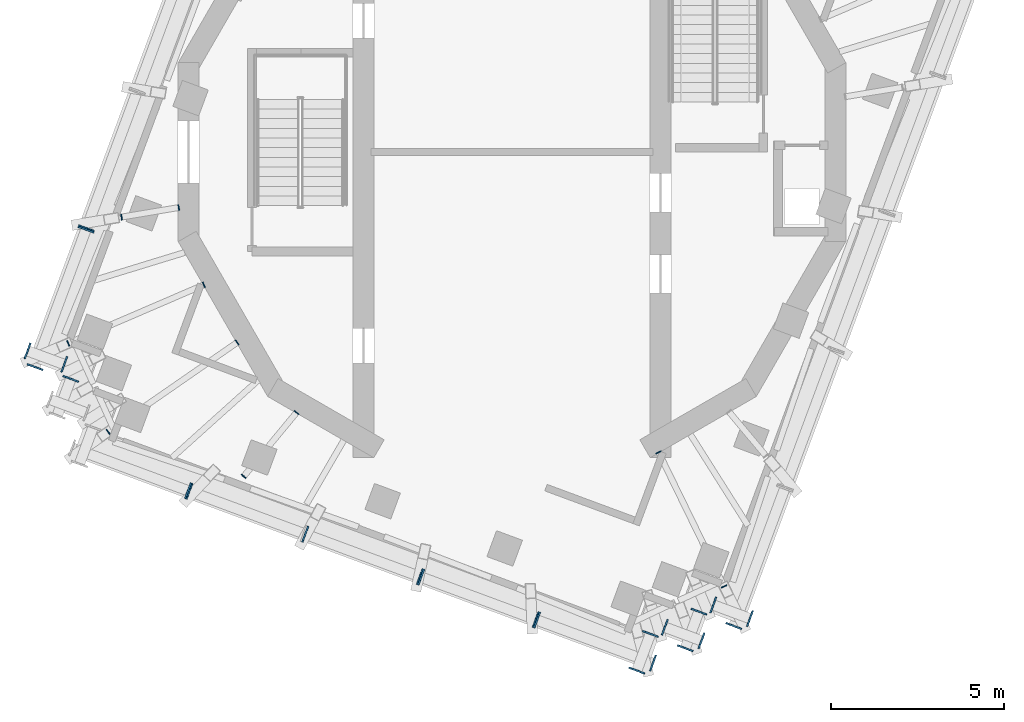
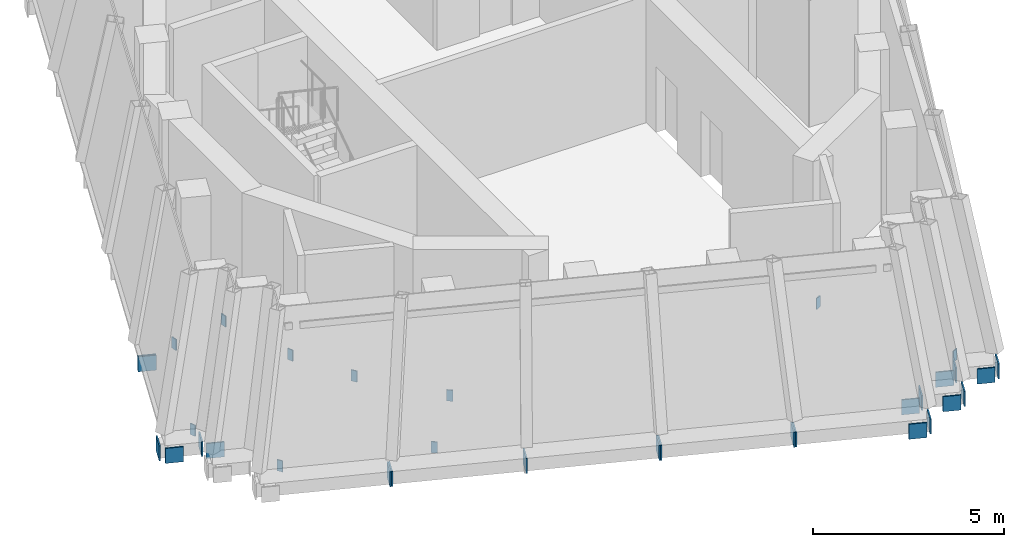
# One storey, part 7 of 11: 33 discrete accessories, 14 elements without a shape of their own.
"""IFC4 building model written with IfcOpenShell, lengths in metres."""

from ifc_helpers import new_model, si_unit, direction, frame, origin, place, context, subcontext, project, spatial, polyline, outline, extrude, material, layer, layer_set, type_object, element, aggregate, save


model = new_model("IFC4")

# Units and contexts
model_context = context("Model", 3, precision=1e-05, world=origin(), true_north=direction((0.0, 1.0)))
body_context = subcontext(model_context, "Body", "Model", "MODEL_VIEW")
ifc_project = project(units=[si_unit("LENGTHUNIT", "METRE"), si_unit("AREAUNIT", "SQUARE_METRE"), si_unit("VOLUMEUNIT", "CUBIC_METRE"), si_unit("PLANEANGLEUNIT", "RADIAN"), si_unit("MASSUNIT", "GRAM", prefix="KILO")], contexts=[model_context])

# Site, building, storey
site_placement = place(None, origin())
site = spatial("IfcSite", under=ifc_project, at=site_placement, CompositionType="ELEMENT")
building_placement = place(site_placement, origin())
building = spatial("IfcBuilding", under=site, at=building_placement, Name="Cantera Rosa Tower", CompositionType="ELEMENT")
storey_placement = place(building_placement, frame((0.0, 0.0, 369.699951171875)))
storey = spatial("IfcBuildingStorey", under=building, at=storey_placement, Name="L83", CompositionType="ELEMENT", Elevation=369.699951171875)

# Curtain wall, discrete accessory
ifc_material_1 = material(Name="Aluminium frame with clear glass", Category="aluminium")
curtain_wall_type = type_object("IfcCurtainWallType", Name="CW4 CROWN GLAZING", PredefinedType="NOTDEFINED", material=ifc_material_1)
curtain_wall_1_placement = place(storey_placement, origin())
curtain_wall_1 = element("IfcCurtainWall", 1, at=curtain_wall_1_placement, inside=storey, type_object=curtain_wall_type, Name="CW4 L83-13", PredefinedType="NOTDEFINED")
ifc_material_2 = material(Name="Steel S355J2 (EN 10025-2)", Category="steel")
ifc_layer = layer(ifc_material_2, 0.030029296875)
ifc_layer_set = layer_set([ifc_layer], Name="NODE PLATE 30")
discrete_accessory_type = type_object("IfcDiscreteAccessoryType", Name="NODE PLATE 30", PredefinedType="ANCHORPLATE", material=ifc_layer_set)
discrete_accessory_1_placement = place(storey_placement, frame((-12.111572265625, -2.3427734375, -0.43505859375), z_axis=(-0.347496626235, -0.937681233018, 0.0), x_axis=(-0.937681233018, 0.347496626235, 0.0)))
discrete_accessory_1 = element("IfcDiscreteAccessory", 2, at=discrete_accessory_1_placement, type_object=discrete_accessory_type, Name="END PLATE TE1", PredefinedType="ANCHORPLATE", context=body_context, shape_type="SweptSolid", body=[
    extrude(outline(polyline([(0.0, 0.0), (0.4798551533622547, 0.0), (0.4798551533622547, 0.47998046875), (0.0, 0.47998046875), (0.0, 0.0)])), origin(), (0.0, 0.0, -1.0), 0.0400390625),
])
aggregate(curtain_wall_1, [discrete_accessory_1])

# Curtain wall, discrete accessories
curtain_wall_2_placement = place(storey_placement, origin())
curtain_wall_2 = element("IfcCurtainWall", 3, at=curtain_wall_2_placement, inside=storey, type_object=curtain_wall_type, Name="CW4 L83-14", PredefinedType="NOTDEFINED")
discrete_accessory_2_placement = place(storey_placement, frame((-12.53369140625, -2.10107421875, -0.43505859375), z_axis=(0.347496626235, 0.937681233018, 0.0), x_axis=(0.937681233018, -0.347496626235, 0.0)))
discrete_accessory_2 = element("IfcDiscreteAccessory", 4, at=discrete_accessory_2_placement, type_object=discrete_accessory_type, Name="END PLATE TE0", PredefinedType="ANCHORPLATE", context=body_context, shape_type="SweptSolid", body=[
    extrude(outline(polyline([(0.0, 0.0), (0.4798551533622547, 0.0), (0.4798551533622547, 0.47998046875), (0.0, 0.47998046875), (0.0, 0.0)])), origin(), (0.0, 0.0, -1.0), 0.0400390625),
])
discrete_accessory_3_placement = place(storey_placement, frame((-13.5859375, -6.322021484375, -0.43505859375), z_axis=(-0.347330918501, -0.937742626232, 0.0), x_axis=(-0.937742626232, 0.347330918501, 0.0)))
discrete_accessory_3 = element("IfcDiscreteAccessory", 5, at=discrete_accessory_3_placement, type_object=discrete_accessory_type, Name="END PLATE TE1", PredefinedType="ANCHORPLATE", context=body_context, shape_type="SweptSolid", body=[
    extrude(outline(polyline([(0.0, 0.0), (0.4800840869406107, 0.0), (0.4800840869406107, 0.47998046875), (0.0, 0.47998046875), (0.0, 0.0)])), origin(), (0.0, 0.0, -1.0), 0.0400390625),
])
aggregate(curtain_wall_2, [discrete_accessory_2, discrete_accessory_3])

curtain_wall_3_placement = place(storey_placement, origin())
curtain_wall_3 = element("IfcCurtainWall", 6, at=curtain_wall_3_placement, inside=storey, type_object=curtain_wall_type, Name="CW4 L83-15", PredefinedType="NOTDEFINED")
discrete_accessory_4_placement = place(storey_placement, frame((-14.121826171875, -5.969482421875, -0.43505859375), z_axis=(-0.937742626232, 0.347330918501, 0.0), x_axis=(0.347330918501, 0.937742626232, 0.0)))
discrete_accessory_4 = element("IfcDiscreteAccessory", 7, at=discrete_accessory_4_placement, type_object=discrete_accessory_type, Name="END PLATE TE0", PredefinedType="ANCHORPLATE", context=body_context, shape_type="SweptSolid", body=[
    extrude(outline(polyline([(0.0, 0.0), (0.4800840869406107, 0.0), (0.4800840869406107, 0.47998046875), (0.0, 0.47998046875), (0.0, 0.0)])), origin(), (0.0, 0.0, -1.0), 0.0400390625),
])
discrete_accessory_5_placement = place(storey_placement, frame((-12.85693359375, -5.92626953125, -0.43505859375), z_axis=(0.93751537431, -0.347943850259, 0.0), x_axis=(-0.347943850259, -0.93751537431, 0.0)))
discrete_accessory_5 = element("IfcDiscreteAccessory", 8, at=discrete_accessory_5_placement, type_object=discrete_accessory_type, Name="END PLATE TE1", PredefinedType="ANCHORPLATE", context=body_context, shape_type="SweptSolid", body=[
    extrude(outline(polyline([(0.0, 0.0), (0.47994004600337425, 0.0), (0.47994004600337425, 0.47998046875), (0.0, 0.47998046875), (0.0, 0.0)])), origin(), (0.0, 0.0, -1.0), 0.0400390625),
])
aggregate(curtain_wall_3, [discrete_accessory_4, discrete_accessory_5])

# Curtain wall, discrete accessory
curtain_wall_4_placement = place(storey_placement, origin())
curtain_wall_4 = element("IfcCurtainWall", 9, at=curtain_wall_4_placement, inside=storey, type_object=curtain_wall_type, Name="CW4 L83-16", PredefinedType="NOTDEFINED")
discrete_accessory_6_placement = place(storey_placement, frame((-12.98583984375, -6.460205078125, -0.43505859375), z_axis=(0.347330918501, 0.937742626232, 0.0), x_axis=(0.937742626232, -0.347330918501, 0.0)))
discrete_accessory_6 = element("IfcDiscreteAccessory", 10, at=discrete_accessory_6_placement, type_object=discrete_accessory_type, Name="END PLATE TE0", PredefinedType="ANCHORPLATE", context=body_context, shape_type="SweptSolid", body=[
    extrude(outline(polyline([(0.0, 0.0), (0.4800840869406107, 0.0), (0.4800840869406107, 0.47998046875), (0.0, 0.47998046875), (0.0, 0.0)])), origin(), (0.0, 0.0, -1.0), 0.0400390625),
])
aggregate(curtain_wall_4, [discrete_accessory_6])

curtain_wall_5_placement = place(storey_placement, origin())
curtain_wall_5 = element("IfcCurtainWall", 11, at=curtain_wall_5_placement, inside=storey, type_object=curtain_wall_type, Name="CW4 L83-19", PredefinedType="NOTDEFINED")
discrete_accessory_7_placement = place(storey_placement, frame((-9.23583984375, -9.5947265625, -0.43505859375), z_axis=(0.937742626232, -0.347330918501, 0.0), x_axis=(-0.347330918501, -0.937742626232, 0.0)))
discrete_accessory_7 = element("IfcDiscreteAccessory", 12, at=discrete_accessory_7_placement, type_object=discrete_accessory_type, Name="END PLATE TE1", PredefinedType="ANCHORPLATE", context=body_context, shape_type="SweptSolid", body=[
    extrude(outline(polyline([(0.0, 0.0), (0.4800840869406107, 0.0), (0.4800840869406107, 0.47998046875), (0.0, 0.47998046875), (0.0, 0.0)])), origin(), (0.0, 0.0, -1.0), 0.0400390625),
])
aggregate(curtain_wall_5, [discrete_accessory_7])

# Curtain wall, discrete accessories
curtain_wall_6_placement = place(storey_placement, origin())
curtain_wall_6 = element("IfcCurtainWall", 13, at=curtain_wall_6_placement, inside=storey, type_object=curtain_wall_type, Name="CW4 L83-20", PredefinedType="NOTDEFINED")
discrete_accessory_8_placement = place(storey_placement, frame((-9.477783203125, -10.01708984375, -0.43505859375), z_axis=(-0.937742626232, 0.347330918501, 0.0), x_axis=(0.347330918501, 0.937742626232, 0.0)))
discrete_accessory_8 = element("IfcDiscreteAccessory", 14, at=discrete_accessory_8_placement, type_object=discrete_accessory_type, Name="END PLATE TE0", PredefinedType="ANCHORPLATE", context=body_context, shape_type="SweptSolid", body=[
    extrude(outline(polyline([(0.0, 0.0), (0.4800840869406107, 0.0), (0.4800840869406107, 0.47998046875), (0.0, 0.47998046875), (0.0, 0.0)])), origin(), (0.0, 0.0, -1.0), 0.0400390625),
])
discrete_accessory_9_placement = place(storey_placement, frame((-5.88134765625, -10.837890625, -0.43505859375), z_axis=(0.937742626232, -0.347330918501, 0.0), x_axis=(-0.347330918501, -0.937742626232, 0.0)))
discrete_accessory_9 = element("IfcDiscreteAccessory", 15, at=discrete_accessory_9_placement, type_object=discrete_accessory_type, Name="END PLATE TE1", PredefinedType="ANCHORPLATE", context=body_context, shape_type="SweptSolid", body=[
    extrude(outline(polyline([(0.0, 0.0), (0.4800840869406107, 0.0), (0.4800840869406107, 0.47998046875), (0.0, 0.47998046875), (0.0, 0.0)])), origin(), (0.0, 0.0, -1.0), 0.0400390625),
])
aggregate(curtain_wall_6, [discrete_accessory_8, discrete_accessory_9])

# Curtain wall, discrete accessory
curtain_wall_7_placement = place(storey_placement, origin())
curtain_wall_7 = element("IfcCurtainWall", 16, at=curtain_wall_7_placement, inside=storey, type_object=curtain_wall_type, Name="CW4 L83-21", PredefinedType="NOTDEFINED")
discrete_accessory_10_placement = place(storey_placement, frame((-2.526611328125, -12.0810546875, -0.43505859375), z_axis=(0.937742626232, -0.347330918501, 0.0), x_axis=(-0.347330918501, -0.937742626232, 0.0)))
discrete_accessory_10 = element("IfcDiscreteAccessory", 17, at=discrete_accessory_10_placement, type_object=discrete_accessory_type, Name="END PLATE TE1", PredefinedType="ANCHORPLATE", context=body_context, shape_type="SweptSolid", body=[
    extrude(outline(polyline([(0.0, 0.0), (0.4800840869406107, 0.0), (0.4800840869406107, 0.47998046875), (0.0, 0.47998046875), (0.0, 0.0)])), origin(), (0.0, 0.0, -1.0), 0.0400390625),
])
aggregate(curtain_wall_7, [discrete_accessory_10])

# Curtain wall, discrete accessories
curtain_wall_8_placement = place(storey_placement, origin())
curtain_wall_8 = element("IfcCurtainWall", 18, at=curtain_wall_8_placement, inside=storey, type_object=curtain_wall_type, Name="CW4 L83-22", PredefinedType="NOTDEFINED")
discrete_accessory_11_placement = place(storey_placement, frame((-2.768310546875, -12.50341796875, -0.43505859375), z_axis=(-0.937742626232, 0.347330918501, 0.0), x_axis=(0.347330918501, 0.937742626232, 0.0)))
discrete_accessory_11 = element("IfcDiscreteAccessory", 19, at=discrete_accessory_11_placement, type_object=discrete_accessory_type, Name="END PLATE TE0", PredefinedType="ANCHORPLATE", context=body_context, shape_type="SweptSolid", body=[
    extrude(outline(polyline([(0.0, 0.0), (0.4800840869406107, 0.0), (0.4800840869406107, 0.47998046875), (0.0, 0.47998046875), (0.0, 0.0)])), origin(), (0.0, 0.0, -1.0), 0.0400390625),
])
discrete_accessory_12_placement = place(storey_placement, frame((0.828125, -13.32421875, -0.43505859375), z_axis=(0.937681233018, -0.347496626235, 0.0), x_axis=(-0.347496626235, -0.937681233018, 0.0)))
discrete_accessory_12 = element("IfcDiscreteAccessory", 20, at=discrete_accessory_12_placement, type_object=discrete_accessory_type, Name="END PLATE TE1", PredefinedType="ANCHORPLATE", context=body_context, shape_type="SweptSolid", body=[
    extrude(outline(polyline([(0.0, 0.0), (0.4798551533622547, 0.0), (0.4798551533622547, 0.47998046875), (0.0, 0.47998046875), (0.0, 0.0)])), origin(), (0.0, 0.0, -1.0), 0.0400390625),
])
aggregate(curtain_wall_8, [discrete_accessory_11, discrete_accessory_12])

curtain_wall_9_placement = place(storey_placement, origin())
curtain_wall_9 = element("IfcCurtainWall", 21, at=curtain_wall_9_placement, inside=storey, type_object=curtain_wall_type, Name="CW4 L83-23", PredefinedType="NOTDEFINED")
discrete_accessory_13_placement = place(storey_placement, frame((0.586181640625, -13.74658203125, -0.43505859375), z_axis=(-0.937576914778, 0.347777987911, 0.0), x_axis=(0.347777987911, 0.937576914778, 0.0)))
discrete_accessory_13 = element("IfcDiscreteAccessory", 22, at=discrete_accessory_13_placement, type_object=discrete_accessory_type, Name="END PLATE TE0", PredefinedType="ANCHORPLATE", context=body_context, shape_type="SweptSolid", body=[
    extrude(outline(polyline([(0.0, 0.0), (0.4801689391068604, 0.0), (0.4801689391068604, 0.47998046875), (0.0, 0.47998046875), (0.0, 0.0)])), origin(), (0.0, 0.0, -1.0), 0.0400390625),
])
discrete_accessory_14_placement = place(storey_placement, frame((4.182861328125, -14.5673828125, -0.43505859375), z_axis=(0.93751537431, -0.347943850259, 0.0), x_axis=(-0.347943850259, -0.93751537431, 0.0)))
discrete_accessory_14 = element("IfcDiscreteAccessory", 23, at=discrete_accessory_14_placement, type_object=discrete_accessory_type, Name="END PLATE TE1", PredefinedType="ANCHORPLATE", context=body_context, shape_type="SweptSolid", body=[
    extrude(outline(polyline([(0.0, 0.0), (0.47994004600337425, 0.0), (0.47994004600337425, 0.47998046875), (0.0, 0.47998046875), (0.0, 0.0)])), origin(), (0.0, 0.0, -1.0), 0.0400390625),
])
aggregate(curtain_wall_9, [discrete_accessory_13, discrete_accessory_14])

curtain_wall_10_placement = place(storey_placement, origin())
curtain_wall_10 = element("IfcCurtainWall", 24, at=curtain_wall_10_placement, inside=storey, type_object=curtain_wall_type, Name="CW4 L83-24", PredefinedType="NOTDEFINED")
discrete_accessory_15_placement = place(storey_placement, frame((3.83056640625, -15.10546875, -0.43505859375), z_axis=(-0.347330918501, -0.937742626232, 0.0), x_axis=(-0.937742626232, 0.347330918501, 0.0)))
discrete_accessory_15 = element("IfcDiscreteAccessory", 25, at=discrete_accessory_15_placement, type_object=discrete_accessory_type, Name="END PLATE TE0", PredefinedType="ANCHORPLATE", context=body_context, shape_type="SweptSolid", body=[
    extrude(outline(polyline([(0.0, 0.0), (0.4800840869406107, 0.0), (0.4800840869406107, 0.47998046875), (0.0, 0.47998046875), (0.0, 0.0)])), origin(), (0.0, 0.0, -1.0), 0.0400390625),
])
discrete_accessory_16_placement = place(storey_placement, frame((3.787353515625, -13.840576171875, -0.43505859375), z_axis=(0.347330918501, 0.937742626232, 0.0), x_axis=(0.937742626232, -0.347330918501, 0.0)))
discrete_accessory_16 = element("IfcDiscreteAccessory", 26, at=discrete_accessory_16_placement, type_object=discrete_accessory_type, Name="END PLATE TE1", PredefinedType="ANCHORPLATE", context=body_context, shape_type="SweptSolid", body=[
    extrude(outline(polyline([(0.0, 0.0), (0.4800840869406107, 0.0), (0.4800840869406107, 0.47998046875), (0.0, 0.47998046875), (0.0, 0.0)])), origin(), (0.0, 0.0, -1.0), 0.0400390625),
])
aggregate(curtain_wall_10, [discrete_accessory_15, discrete_accessory_16])

curtain_wall_11_placement = place(storey_placement, origin())
curtain_wall_11 = element("IfcCurtainWall", 27, at=curtain_wall_11_placement, inside=storey, type_object=curtain_wall_type, Name="CW4 L83-25", PredefinedType="NOTDEFINED")
discrete_accessory_17_placement = place(storey_placement, frame((4.32080078125, -13.967041015625, -0.43505859375), z_axis=(-0.937681233018, 0.347496626235, 0.0), x_axis=(0.347496626235, 0.937681233018, 0.0)))
discrete_accessory_17 = element("IfcDiscreteAccessory", 28, at=discrete_accessory_17_placement, type_object=discrete_accessory_type, Name="END PLATE TE0", PredefinedType="ANCHORPLATE", context=body_context, shape_type="SweptSolid", body=[
    extrude(outline(polyline([(0.0, 0.0), (0.4798551533622547, 0.0), (0.4798551533622547, 0.47998046875), (0.0, 0.47998046875), (0.0, 0.0)])), origin(), (0.0, 0.0, -1.0), 0.0400390625),
])
discrete_accessory_18_placement = place(storey_placement, frame((5.58544921875, -13.923828125, -0.43505859375), z_axis=(0.937742626232, -0.347330918501, 0.0), x_axis=(-0.347330918501, -0.937742626232, 0.0)))
discrete_accessory_18 = element("IfcDiscreteAccessory", 29, at=discrete_accessory_18_placement, type_object=discrete_accessory_type, Name="END PLATE TE1", PredefinedType="ANCHORPLATE", context=body_context, shape_type="SweptSolid", body=[
    extrude(outline(polyline([(0.0, 0.0), (0.4800840869406107, 0.0), (0.4800840869406107, 0.47998046875), (0.0, 0.47998046875), (0.0, 0.0)])), origin(), (0.0, 0.0, -1.0), 0.0400390625),
])
aggregate(curtain_wall_11, [discrete_accessory_17, discrete_accessory_18])

curtain_wall_12_placement = place(storey_placement, origin())
curtain_wall_12 = element("IfcCurtainWall", 30, at=curtain_wall_12_placement, inside=storey, type_object=curtain_wall_type, Name="CW4 L83-26", PredefinedType="NOTDEFINED")
discrete_accessory_19_placement = place(storey_placement, frame((5.233154296875, -14.46044921875, -0.43505859375), z_axis=(-0.347330918501, -0.937742626232, 0.0), x_axis=(-0.937742626232, 0.347330918501, 0.0)))
discrete_accessory_19 = element("IfcDiscreteAccessory", 31, at=discrete_accessory_19_placement, type_object=discrete_accessory_type, Name="END PLATE TE0", PredefinedType="ANCHORPLATE", context=body_context, shape_type="SweptSolid", body=[
    extrude(outline(polyline([(0.0, 0.0), (0.4800840869406107, 0.0), (0.4800840869406107, 0.47998046875), (0.0, 0.47998046875), (0.0, 0.0)])), origin(), (0.0, 0.0, -1.0), 0.0400390625),
])
discrete_accessory_20_placement = place(storey_placement, frame((5.18994140625, -13.195556640625, -0.43505859375), z_axis=(0.347330918501, 0.937742626232, 0.0), x_axis=(0.937742626232, -0.347330918501, 0.0)))
discrete_accessory_20 = element("IfcDiscreteAccessory", 32, at=discrete_accessory_20_placement, type_object=discrete_accessory_type, Name="END PLATE TE1", PredefinedType="ANCHORPLATE", context=body_context, shape_type="SweptSolid", body=[
    extrude(outline(polyline([(0.0, 0.0), (0.4800840869406107, 0.0), (0.4800840869406107, 0.47998046875), (0.0, 0.47998046875), (0.0, 0.0)])), origin(), (0.0, 0.0, -1.0), 0.0400390625),
])
aggregate(curtain_wall_12, [discrete_accessory_19, discrete_accessory_20])

curtain_wall_13_placement = place(storey_placement, origin())
curtain_wall_13 = element("IfcCurtainWall", 33, at=curtain_wall_13_placement, inside=storey, type_object=curtain_wall_type, Name="CW4 L83-27", PredefinedType="NOTDEFINED")
discrete_accessory_21_placement = place(storey_placement, frame((5.7236328125, -13.323486328125, -0.43505859375), z_axis=(-0.937681233018, 0.347496626235, 0.0), x_axis=(0.347496626235, 0.937681233018, 0.0)))
discrete_accessory_21 = element("IfcDiscreteAccessory", 34, at=discrete_accessory_21_placement, type_object=discrete_accessory_type, Name="END PLATE TE0", PredefinedType="ANCHORPLATE", context=body_context, shape_type="SweptSolid", body=[
    extrude(outline(polyline([(0.0, 0.0), (0.4798551533622547, 0.0), (0.4798551533622547, 0.47998046875), (0.0, 0.47998046875), (0.0, 0.0)])), origin(), (0.0, 0.0, -1.0), 0.0400390625),
])
discrete_accessory_22_placement = place(storey_placement, frame((6.98828125, -13.2802734375, -0.43505859375), z_axis=(0.937742626232, -0.347330918501, 0.0), x_axis=(-0.347330918501, -0.937742626232, 0.0)))
discrete_accessory_22 = element("IfcDiscreteAccessory", 35, at=discrete_accessory_22_placement, type_object=discrete_accessory_type, Name="END PLATE TE1", PredefinedType="ANCHORPLATE", context=body_context, shape_type="SweptSolid", body=[
    extrude(outline(polyline([(0.0, 0.0), (0.4800840869406107, 0.0), (0.4800840869406107, 0.47998046875), (0.0, 0.47998046875), (0.0, 0.0)])), origin(), (0.0, 0.0, -1.0), 0.0400390625),
])
aggregate(curtain_wall_13, [discrete_accessory_21, discrete_accessory_22])

# Curtain wall, discrete accessory
curtain_wall_14_placement = place(storey_placement, origin())
curtain_wall_14 = element("IfcCurtainWall", 36, at=curtain_wall_14_placement, inside=storey, type_object=curtain_wall_type, Name="CW4 L83-28", PredefinedType="NOTDEFINED")
discrete_accessory_23_placement = place(storey_placement, frame((6.635498046875, -13.8154296875, -0.43505859375), z_axis=(-0.347496626235, -0.937681233018, 0.0), x_axis=(-0.937681233018, 0.347496626235, 0.0)))
discrete_accessory_23 = element("IfcDiscreteAccessory", 37, at=discrete_accessory_23_placement, type_object=discrete_accessory_type, Name="END PLATE TE0", PredefinedType="ANCHORPLATE", context=body_context, shape_type="SweptSolid", body=[
    extrude(outline(polyline([(0.0, 0.0), (0.4798551533622547, 0.0), (0.4798551533622547, 0.47998046875), (0.0, 0.47998046875), (0.0, 0.0)])), origin(), (0.0, 0.0, -1.0), 0.0400390625),
])
aggregate(curtain_wall_14, [discrete_accessory_23])

# Discrete accessories
discrete_accessory_24_placement = place(storey_placement, frame((0.0, 0.0, -0.805908203125)))
element("IfcDiscreteAccessory", 38, at=discrete_accessory_24_placement, inside=storey, type_object=discrete_accessory_type, Name="END PLATE CG-Z6-05 L83 A", PredefinedType="ANCHORPLATE", context=body_context, shape_type="SweptSolid", body=[
    extrude(outline(polyline([(-11.272216796875, -1.960693359375), (-11.3017578125, -1.965576171875), (-11.329833984375, -1.796875), (-11.30029296875, -1.7919921875), (-11.272216796875, -1.960693359375)])), origin(), (0.0, 0.0, 1.0), 0.35595703125),
])
discrete_accessory_25_placement = place(storey_placement, frame((0.0, 0.0, -0.805908203125)))
element("IfcDiscreteAccessory", 39, at=discrete_accessory_25_placement, inside=storey, type_object=discrete_accessory_type, Name="END PLATE CG-Z6-05 L83 B", PredefinedType="ANCHORPLATE", context=body_context, shape_type="SweptSolid", body=[
    extrude(outline(polyline([(-9.67333984375, -1.521484375), (-9.643798828125, -1.5166015625), (-9.61572265625, -1.685302734375), (-9.645263671875, -1.690185546875), (-9.67333984375, -1.521484375)])), origin(), (0.0, 0.0, 1.0), 0.35595703125),
])
discrete_accessory_26_placement = place(storey_placement, frame((0.0, 0.0, -0.805908203125)))
element("IfcDiscreteAccessory", 40, at=discrete_accessory_26_placement, inside=storey, type_object=discrete_accessory_type, Name="END PLATE CG-Z6-06 L83 A", PredefinedType="ANCHORPLATE", context=body_context, shape_type="SweptSolid", body=[
    extrude(outline(polyline([(-12.79736328125, -5.604736328125), (-12.824951171875, -5.61669921875), (-12.892578125, -5.45947265625), (-12.864990234375, -5.44775390625), (-12.79736328125, -5.604736328125)])), origin(), (0.0, 0.0, 1.0), 0.35595703125),
])
discrete_accessory_27_placement = place(storey_placement, frame((0.0, 0.0, -0.805908203125)))
element("IfcDiscreteAccessory", 41, at=discrete_accessory_27_placement, inside=storey, type_object=discrete_accessory_type, Name="END PLATE CG-Z6-06 L83 B", PredefinedType="ANCHORPLATE", context=body_context, shape_type="SweptSolid", body=[
    extrude(outline(polyline([(-8.96630859375, -3.7685546875), (-8.938720703125, -3.756591796875), (-8.87109375, -3.913818359375), (-8.898681640625, -3.925537109375), (-8.96630859375, -3.7685546875)])), origin(), (0.0, 0.0, 1.0), 0.35595703125),
])
discrete_accessory_28_placement = place(storey_placement, frame((0.0, 0.0, -0.805908203125)))
element("IfcDiscreteAccessory", 42, at=discrete_accessory_28_placement, inside=storey, type_object=discrete_accessory_type, Name="END PLATE CG-Z6-07 L83 A", PredefinedType="ANCHORPLATE", context=body_context, shape_type="SweptSolid", body=[
    extrude(outline(polyline([(-11.6279296875, -8.1552734375), (-11.652587890625, -8.17236328125), (-11.75, -8.03173828125), (-11.725341796875, -8.0146484375), (-11.6279296875, -8.1552734375)])), origin(), (0.0, 0.0, 1.0), 0.35595703125),
])
discrete_accessory_29_placement = place(storey_placement, frame((0.0, 0.0, -0.805908203125)))
element("IfcDiscreteAccessory", 43, at=discrete_accessory_29_placement, inside=storey, type_object=discrete_accessory_type, Name="END PLATE CG-Z6-07 L83 B", PredefinedType="ANCHORPLATE", context=body_context, shape_type="SweptSolid", body=[
    extrude(outline(polyline([(-8.016845703125, -5.447021484375), (-7.9921875, -5.429931640625), (-7.894775390625, -5.570556640625), (-7.91943359375, -5.587646484375), (-8.016845703125, -5.447021484375)])), origin(), (0.0, 0.0, 1.0), 0.35595703125),
])
discrete_accessory_30_placement = place(storey_placement, frame((0.0, 0.0, -0.805908203125)))
element("IfcDiscreteAccessory", 44, at=discrete_accessory_30_placement, inside=storey, type_object=discrete_accessory_type, Name="END PLATE CG-Z6-08 L83 A", PredefinedType="ANCHORPLATE", context=body_context, shape_type="SweptSolid", body=[
    extrude(outline(polyline([(-7.689453125, -9.4267578125), (-7.70849609375, -9.449951171875), (-7.84033203125, -9.3408203125), (-7.8212890625, -9.317626953125), (-7.689453125, -9.4267578125)])), origin(), (0.0, 0.0, 1.0), 0.35595703125),
])
discrete_accessory_31_placement = place(storey_placement, frame((0.0, 0.0, -0.805908203125)))
element("IfcDiscreteAccessory", 45, at=discrete_accessory_31_placement, inside=storey, type_object=discrete_accessory_type, Name="END PLATE CG-Z6-08 L83 B", PredefinedType="ANCHORPLATE", context=body_context, shape_type="SweptSolid", body=[
    extrude(outline(polyline([(-6.3115234375, -7.4931640625), (-6.292236328125, -7.469970703125), (-6.16064453125, -7.5791015625), (-6.1796875, -7.602294921875), (-6.3115234375, -7.4931640625)])), origin(), (0.0, 0.0, 1.0), 0.35595703125),
])
discrete_accessory_32_placement = place(storey_placement, frame((0.0, 0.0, -0.805908203125)))
element("IfcDiscreteAccessory", 46, at=discrete_accessory_32_placement, inside=storey, type_object=discrete_accessory_type, Name="END PLATE CG-Z6-09 L83 A", PredefinedType="ANCHORPLATE", context=body_context, shape_type="SweptSolid", body=[
    extrude(outline(polyline([(6.208251953125, -12.515625), (6.221435546875, -12.542724609375), (6.067626953125, -12.61767578125), (6.054443359375, -12.5908203125), (6.208251953125, -12.515625)])), origin(), (0.0, 0.0, 1.0), 0.35595703125),
])
discrete_accessory_33_placement = place(storey_placement, frame((0.0, 0.0, -0.805908203125)))
element("IfcDiscreteAccessory", 47, at=discrete_accessory_33_placement, inside=storey, type_object=discrete_accessory_type, Name="END PLATE CG-Z6-09 L83 B", PredefinedType="ANCHORPLATE", context=body_context, shape_type="SweptSolid", body=[
    extrude(outline(polyline([(4.172607421875, -8.73779296875), (4.159423828125, -8.710693359375), (4.31298828125, -8.6357421875), (4.326171875, -8.66259765625), (4.172607421875, -8.73779296875)])), origin(), (0.0, 0.0, 1.0), 0.35595703125),
])

save(model, "model.ifc")
